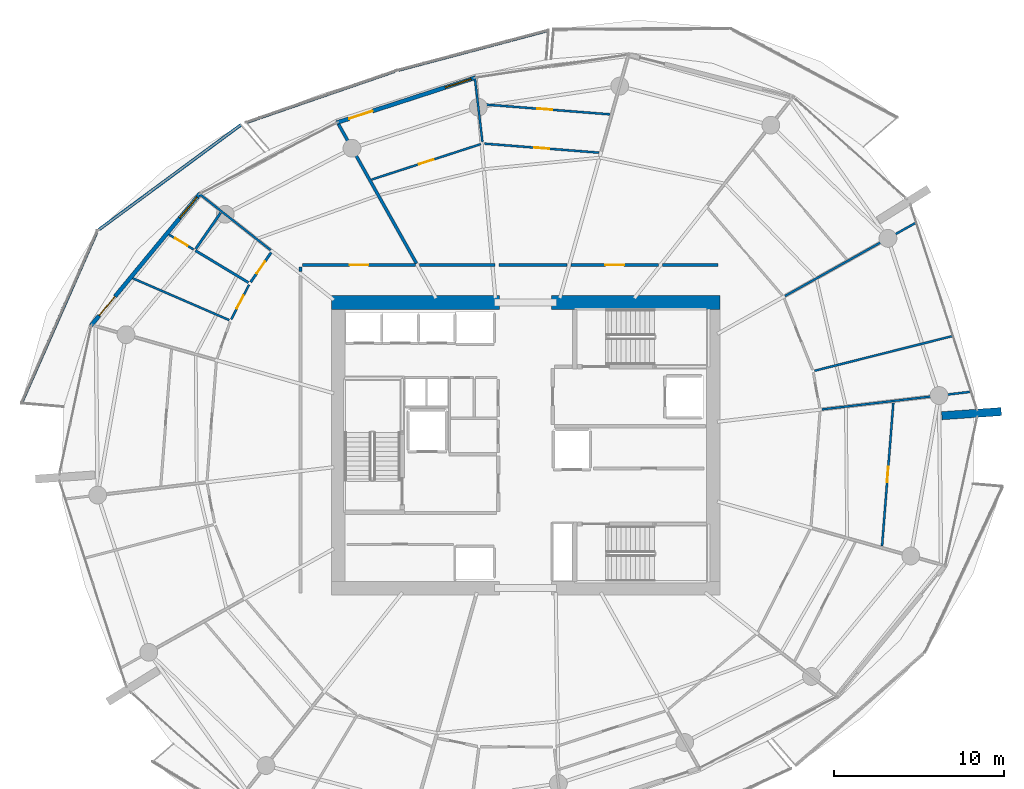
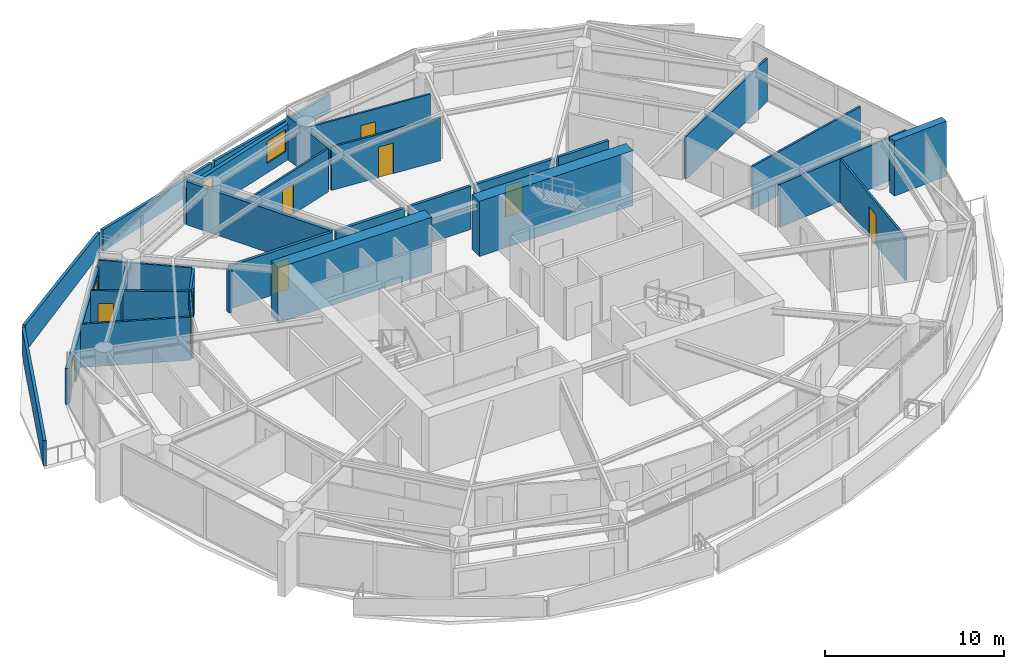
# One storey, part 14 of 20: 31 walls, 11 doors, 2 windows, 13 openings.
"""IFC4 building model written with IfcOpenShell, lengths in metres."""

from ifc_helpers import new_model, si_unit, direction, frame, frame_2d, origin, place, context, subcontext, project, spatial, polyline, rectangle, outline, extrude, material, layer, layer_set, type_object, element, fill, save


model = new_model("IFC4")

# Units and contexts
model_context = context("Model", 3, precision=1e-05, world=origin(), true_north=direction((0.0, 1.0)))
body_context = subcontext(model_context, "Body", "Model", "MODEL_VIEW")
ifc_project = project(units=[si_unit("LENGTHUNIT", "METRE"), si_unit("AREAUNIT", "SQUARE_METRE"), si_unit("VOLUMEUNIT", "CUBIC_METRE"), si_unit("PLANEANGLEUNIT", "RADIAN"), si_unit("MASSUNIT", "GRAM", prefix="KILO")], contexts=[model_context])

# Site, building, storey
site_placement = place(None, origin())
site = spatial("IfcSite", under=ifc_project, at=site_placement, CompositionType="ELEMENT")
building_placement = place(site_placement, origin())
building = spatial("IfcBuilding", under=site, at=building_placement, Name="Kazma Halo Residences", CompositionType="ELEMENT")
storey_placement = place(building_placement, frame((0.0, 0.0, 169.050048828125)))
storey = spatial("IfcBuildingStorey", under=building, at=storey_placement, Name="L42", CompositionType="ELEMENT", Elevation=169.050048828125)

# Walls
ifc_material_1 = material(Name="White Concrete C50/60 Balustrade", Category="concrete")
ifc_layer_1 = layer(ifc_material_1, 0.179931640625)
ifc_layer_set_1 = layer_set([ifc_layer_1], Name="White Concrete C50/60 Balustrade")
wall_type_1 = type_object("IfcWallType", Name="WL-BAL-WAVE-180", PredefinedType="PARAPET", material=ifc_layer_set_1)
wall_1_placement = place(storey_placement, frame((49.770751953125, 66.40380859375, 0.0), z_axis=(0.0, 0.0, 1.0), x_axis=(-0.966520511407, -0.256589362658, 0.0)))
element("IfcWall", 1, at=wall_1_placement, inside=storey, type_object=wall_type_1, Name="L42 white wave balustrade wall NNW.1", PredefinedType="PARAPET", context=body_context, shape_type="SweptSolid", body=[
    extrude(outline(polyline([(0.0, 0.0), (9.119140625, 0.0), (9.118896484375, 1.14794921875), (4.5595703125, 1.126953125), (0.0, 1.223876953125), (0.0, 0.0)])), frame((0.0, 0.08984375, 0.0), z_axis=(0.0, -1.0, 0.0), x_axis=(1.0, 0.0, 0.0)), (0.0, 0.0, 1.0), 0.179931640625),
])
wall_2_placement = place(storey_placement, frame((40.7275390625, 63.994140625, 0.0), z_axis=(0.0, 0.0, 1.0), x_axis=(-0.945395712623, -0.325924755971, 0.0)))
element("IfcWall", 2, at=wall_2_placement, inside=storey, type_object=wall_type_1, Name="L42 white wave balustrade wall NNW.2", PredefinedType="PARAPET", context=body_context, shape_type="SweptSolid", body=[
    extrude(outline(polyline([(0.0, 0.0), (9.244384765625, 0.0), (9.244384765625, 1.48291015625), (4.622314453125, 1.283935546875), (0.0, 1.14794921875), (0.0, 0.0)])), frame((0.0, 0.08984375, 0.0), z_axis=(0.0, -1.0, 0.0), x_axis=(1.0, 0.0, 0.0)), (0.0, 0.0, 1.0), 0.179931640625),
])
wall_3_placement = place(storey_placement, frame((31.699951171875, 60.850341796875, 0.0), z_axis=(0.0, 0.0, 1.0), x_axis=(-0.804716582715, -0.593659179584, 0.0)))
element("IfcWall", 3, at=wall_3_placement, inside=storey, type_object=wall_type_1, Name="L42 white wave balustrade wall NW.1", PredefinedType="PARAPET", context=body_context, shape_type="SweptSolid", body=[
    extrude(outline(polyline([(0.0, 0.0), (10.386474609375, 0.0), (10.386474609375, 1.83203125), (5.193115234375, 1.696044921875), (0.0, 1.4970703125), (0.0, 0.0)])), frame((0.0, 0.08984375, 0.0), z_axis=(0.0, -1.0, 0.0), x_axis=(1.0, 0.0, 0.0)), (0.0, 0.0, 1.0), 0.179931640625),
])
wall_4_placement = place(storey_placement, frame((23.19677734375, 54.50341796875, 0.0), z_axis=(0.0, 0.0, 1.0), x_axis=(-0.402973896797, -0.915211472011, 0.0)))
element("IfcWall", 4, at=wall_4_placement, inside=storey, type_object=wall_type_1, Name="L42 white wave balustrade wall NW.2", PredefinedType="PARAPET", context=body_context, shape_type="SweptSolid", body=[
    extrude(outline(polyline([(0.0, 0.0), (10.953125, 0.0), (10.952880859375, 1.755859375), (5.4765625, 1.85302734375), (0.0, 1.83203125), (0.0, 0.0)])), frame((0.0, 0.08984375, 0.0), z_axis=(0.0, -1.0, 0.0), x_axis=(1.0, 0.0, 0.0)), (0.0, 0.0, 1.0), 0.179931640625),
])
ifc_material_2 = material(Name="Pale Concrete C60/75", Category="concrete")
ifc_layer_2 = layer(ifc_material_2, 0.47998046875)
ifc_layer_set_2 = layer_set([ifc_layer_2], Name="Pale Concrete C60/75")
wall_type_2 = type_object("IfcWallType", Name="WL-BLADE-480", PredefinedType="SOLIDWALL", material=ifc_layer_set_2)
wall_5_placement = place(storey_placement, frame((72.89697265625, 43.740966796875, 0.0), z_axis=(0.0, 0.0, 1.0), x_axis=(0.997564163539, 0.069754853754, 0.0)))
element("IfcWall", 5, at=wall_5_placement, inside=storey, type_object=wall_type_2, Name="L42 pale concrete structural blade fin wall BW-04", PredefinedType="SOLIDWALL", context=body_context, shape_type="SweptSolid", body=[
    extrude(rectangle(XDim=3.5, YDim=0.47998046875, at=frame_2d((1.75, 0.0))), origin(), (0.0, 0.0, 1.0), 3.75),
])
ifc_material_3 = material(Name="Concrete C80/95", Category="concrete")
ifc_layer_3 = layer(ifc_material_3, 0.800048828125)
ifc_layer_set_3 = layer_set([ifc_layer_3], Name="Concrete C80/95")
wall_type_3 = type_object("IfcWallType", Name="WL-CORE-800", PredefinedType="SHEAR", material=ifc_layer_set_3)
wall_6_placement = place(storey_placement, frame((37.0, 50.39990234375, 0.0), z_axis=(0.0, 0.0, 1.0), x_axis=(1.0, 0.0, 0.0)))
element("IfcWall", 6, at=wall_6_placement, inside=storey, type_object=wall_type_3, Name="L42 central core shear wall NW", PredefinedType="SHEAR", context=body_context, shape_type="SweptSolid", body=[
    extrude(rectangle(XDim=9.89990234375, YDim=0.800048828125, at=frame_2d((4.949951171875, 0.0))), origin(), (0.0, 0.0, 1.0), 3.75),
])
wall_7_placement = place(storey_placement, frame((49.949951171875, 50.39990234375, 0.0), z_axis=(0.0, 0.0, 1.0), x_axis=(1.0, 0.0, 0.0)))
element("IfcWall", 7, at=wall_7_placement, inside=storey, type_object=wall_type_3, Name="L42 central core shear wall NE", PredefinedType="SHEAR", context=body_context, shape_type="SweptSolid", body=[
    extrude(rectangle(XDim=9.900146484375, YDim=0.800048828125, at=frame_2d((4.9501953125, 0.0))), origin(), (0.0, 0.0, 1.0), 3.75),
])
ifc_material_4 = material(Name="Acoustic Twin-Stud Gypsum")
ifc_layer_4 = layer(ifc_material_4, 0.179931640625)
ifc_layer_set_4 = layer_set([ifc_layer_4], Name="Acoustic Twin-Stud Gypsum")
wall_type_4 = type_object("IfcWallType", Name="WL-DEM-180", PredefinedType="PARTITIONING", material=ifc_layer_set_4)
wall_8_placement = place(storey_placement, frame((42.010009765625, 52.696044921875, 0.0), z_axis=(0.0, 0.0, 1.0), x_axis=(-0.488627157427, 0.872492693967, 0.0)))
element("IfcWall", 8, at=wall_8_placement, inside=storey, type_object=wall_type_4, Name="L42 apartment demising radial wall 04", PredefinedType="PARTITIONING", context=body_context, shape_type="SweptSolid", body=[
    extrude(rectangle(XDim=9.375244140625, YDim=0.179931640625, at=frame_2d((4.6875, 0.0))), origin(), (0.0, 0.0, 1.0), 2.93994140625),
])

# Wall, opening, door
wall_9_placement = place(storey_placement, frame((41.943603515625, 52.60009765625, 0.0), z_axis=(0.0, 0.0, 1.0), x_axis=(-1.0, 0.0, 0.0)))
wall_9 = element("IfcWall", 9, at=wall_9_placement, inside=storey, type_object=wall_type_4, Name="L42 Apartment 1 entrance corridor wall", PredefinedType="PARTITIONING", context=body_context, shape_type="SweptSolid", body=[
    extrude(rectangle(XDim=6.62353515625, YDim=0.179931640625, at=frame_2d((3.311767578125, 0.0))), origin(), (0.0, 0.0, 1.0), 2.93994140625),
])
opening_1_placement = place(wall_9_placement, frame((2.76171875, 0.0, 0.0)))
opening_1 = element("IfcOpeningElement", 10, at=opening_1_placement, cuts=wall_9, Name="Opening DA-1100", PredefinedType="OPENING", context=body_context, shape_type="SweptSolid", body=[
    extrude(rectangle(XDim=1.10009765625, YDim=2.10009765625, at=frame_2d((0.550048828125, 1.050048828125))), frame((0.0, 0.099853515625, 0.0), z_axis=(0.0, -1.0, 0.0), x_axis=(1.0, 0.0, 0.0)), (0.0, 0.0, 1.0), 0.199951171875),
])
ifc_material_5 = material(Name="Acoustic Walnut Fire Leaf")
door_type_1 = type_object("IfcDoorType", Name="DR-FD60-1100", OperationType="NOTDEFINED", PredefinedType="DOOR", material=ifc_material_5)
door_1_placement = place(opening_1_placement, origin())
door_1 = element("IfcDoor", 11, at=door_1_placement, inside=storey, type_object=door_type_1, Name="L42 Apartment 1 entrance fire door", OperationType="SINGLE_SWING_RIGHT", OverallHeight=2.10009765625, OverallWidth=1.10009765625, PredefinedType="DOOR", context=body_context, shape_type="SweptSolid", body=[
    extrude(rectangle(XDim=1.10009765625, YDim=2.10009765625, at=frame_2d((0.550048828125, 1.050048828125))), frame((0.0, 0.02490234375, 0.0), z_axis=(0.0, -1.0, 0.0), x_axis=(1.0, 0.0, 0.0)), (0.0, 0.0, 1.0), 0.050048828125),
])
fill(opening_1, door_1)

# Wall
wall_10_placement = place(storey_placement, frame((35.199951171875, 52.47998046875, 0.0), z_axis=(0.0, 0.0, 1.0), x_axis=(0.0, -1.0, 0.0)))
element("IfcWall", 12, at=wall_10_placement, inside=storey, type_object=wall_type_4, Name="L42 Apartment 1 entrance corridor wall", PredefinedType="PARTITIONING", context=body_context, shape_type="SweptSolid", body=[
    extrude(rectangle(XDim=0.269287109375, YDim=0.179931640625, at=frame_2d((0.134765625, 0.0))), origin(), (0.0, 0.0, 1.0), 2.93994140625),
])

# Wall, opening, door
wall_11_placement = place(storey_placement, frame((56.236328125, 52.60009765625, 0.0), z_axis=(0.0, 0.0, 1.0), x_axis=(-1.0, 0.0, 0.0)))
wall_11 = element("IfcWall", 13, at=wall_11_placement, inside=storey, type_object=wall_type_4, Name="L42 Apartment 2 entrance corridor wall", PredefinedType="PARTITIONING", context=body_context, shape_type="SweptSolid", body=[
    extrude(rectangle(XDim=5.126708984375, YDim=0.179931640625, at=frame_2d((2.5634765625, 0.0))), origin(), (0.0, 0.0, 1.0), 2.93994140625),
])
opening_2_placement = place(wall_11_placement, frame((2.013427734375, 0.0, 0.0)))
opening_2 = element("IfcOpeningElement", 14, at=opening_2_placement, cuts=wall_11, Name="Opening DA-1100", PredefinedType="OPENING", context=body_context, shape_type="SweptSolid", body=[
    extrude(rectangle(XDim=1.10009765625, YDim=2.10009765625, at=frame_2d((0.550048828125, 1.050048828125))), frame((0.0, 0.099853515625, 0.0), z_axis=(0.0, -1.0, 0.0), x_axis=(1.0, 0.0, 0.0)), (0.0, 0.0, 1.0), 0.199951171875),
])
door_2_placement = place(opening_2_placement, origin())
door_2 = element("IfcDoor", 15, at=door_2_placement, inside=storey, type_object=door_type_1, Name="L42 Apartment 2 entrance fire door", OperationType="SINGLE_SWING_LEFT", OverallHeight=2.10009765625, OverallWidth=1.10009765625, PredefinedType="DOOR", context=body_context, shape_type="SweptSolid", body=[
    extrude(rectangle(XDim=1.10009765625, YDim=2.10009765625, at=frame_2d((0.550048828125, 1.050048828125))), frame((0.0, 0.02490234375, 0.0), z_axis=(0.0, -1.0, 0.0), x_axis=(1.0, 0.0, 0.0)), (0.0, 0.0, 1.0), 0.050048828125),
])
fill(opening_2, door_2)

# Walls
wall_12_placement = place(storey_placement, frame((59.72998046875, 52.60009765625, 0.0), z_axis=(0.0, 0.0, 1.0), x_axis=(-1.0, 0.0, 0.0)))
element("IfcWall", 16, at=wall_12_placement, inside=storey, type_object=wall_type_4, Name="L42 Apartment 2 inner wall 0", PredefinedType="PARTITIONING", context=body_context, shape_type="SweptSolid", body=[
    extrude(rectangle(XDim=3.253662109375, YDim=0.179931640625, at=frame_2d((1.626953125, 0.0))), origin(), (0.0, 0.0, 1.0), 2.93994140625),
])
wall_13_placement = place(storey_placement, frame((50.869384765625, 52.60009765625, 0.0), z_axis=(0.0, 0.0, 1.0), x_axis=(-1.0, 0.0, 0.0)))
element("IfcWall", 17, at=wall_13_placement, inside=storey, type_object=wall_type_4, Name="L42 Apartment 2 inner wall 2", PredefinedType="PARTITIONING", context=body_context, shape_type="SweptSolid", body=[
    extrude(rectangle(XDim=4.00390625, YDim=0.179931640625, at=frame_2d((2.001953125, 0.0))), origin(), (0.0, 0.0, 1.0), 2.93994140625),
])
wall_14_placement = place(storey_placement, frame((46.62548828125, 52.60009765625, 0.0), z_axis=(0.0, 0.0, 1.0), x_axis=(-1.0, 0.0, 0.0)))
element("IfcWall", 18, at=wall_14_placement, inside=storey, type_object=wall_type_4, Name="L42 Apartment 2 inner wall 3", PredefinedType="PARTITIONING", context=body_context, shape_type="SweptSolid", body=[
    extrude(rectangle(XDim=4.44189453125, YDim=0.179931640625, at=frame_2d((2.220947265625, 0.0))), origin(), (0.0, 0.0, 1.0), 2.93994140625),
])

# Wall, openings, door, window
ifc_material_6 = material(Name="Insulated Pale-Metal Composite Wall")
ifc_layer_5 = layer(ifc_material_6, 0.239990234375)
ifc_layer_set_5 = layer_set([ifc_layer_5], Name="Insulated Pale-Metal Composite Wall")
wall_type_5 = type_object("IfcWallType", Name="WL-EXT-HOST-240", PredefinedType="SOLIDWALL", material=ifc_layer_set_5)
wall_15_placement = place(storey_placement, frame((45.489990234375, 63.624267578125, 0.0), z_axis=(0.0, 0.0, 1.0), x_axis=(-0.951046390632, -0.309048156224, 0.0)))
wall_15 = element("IfcWall", 19, at=wall_15_placement, inside=storey, type_object=wall_type_5, Name="L42 exterior terrace-access wall B04", PredefinedType="SOLIDWALL", context=body_context, shape_type="SweptSolid", body=[
    extrude(rectangle(XDim=8.590087890625, YDim=0.239990234375, at=frame_2d((4.294921875, 0.0))), origin(), (0.0, 0.0, 1.0), 2.449951171875),
])
opening_3_placement = place(wall_15_placement, frame((6.370361328125, 0.0, 0.0)))
opening_3 = element("IfcOpeningElement", 20, at=opening_3_placement, cuts=wall_15, Name="Opening DTR-1600", PredefinedType="OPENING", context=body_context, shape_type="SweptSolid", body=[
    extrude(rectangle(XDim=1.449951171875, YDim=2.14990234375, at=frame_2d((0.72509765625, 1.074951171875))), frame((0.0, 0.1298828125, 0.0), z_axis=(0.0, -1.0, 0.0), x_axis=(1.0, 0.0, 0.0)), (0.0, 0.0, 1.0), 0.260009765625),
])
opening_4_placement = place(wall_15_placement, frame((0.280029296875, 0.0, 0.64990234375)))
opening_4 = element("IfcOpeningElement", 21, at=opening_4_placement, cuts=wall_15, Name="Opening W-1800", PredefinedType="OPENING", context=body_context, shape_type="SweptSolid", body=[
    extrude(rectangle(XDim=1.60009765625, YDim=1.5, at=frame_2d((0.800048828125, 0.75))), frame((0.0, 0.1298828125, 0.0), z_axis=(0.0, -1.0, 0.0), x_axis=(1.0, 0.0, 0.0)), (0.0, 0.0, 1.0), 0.260009765625),
])
ifc_material_7 = material(Name="Aluminium AW-6063 T6 Double-Glazed Terrace Door", Category="aluminium")
door_type_2 = type_object("IfcDoorType", Name="DR-EXT-TERR-1600", OperationType="NOTDEFINED", PredefinedType="DOOR", material=ifc_material_7)
door_3_placement = place(opening_3_placement, origin())
door_3 = element("IfcDoor", 22, at=door_3_placement, inside=storey, type_object=door_type_2, Name="L42 B04 balcony terrace door", OperationType="DOUBLE_DOOR_SLIDING", OverallHeight=2.14990234375, OverallWidth=1.449951171875, PredefinedType="DOOR", context=body_context, shape_type="SweptSolid", body=[
    extrude(rectangle(XDim=1.449951171875, YDim=2.14990234375, at=frame_2d((0.72509765625, 1.074951171875))), frame((0.0, 0.02490234375, 0.0), z_axis=(0.0, -1.0, 0.0), x_axis=(1.0, 0.0, 0.0)), (0.0, 0.0, 1.0), 0.050048828125),
])
fill(opening_3, door_3)
ifc_material_8 = material(Name="Clear Triple-Silver Low-E Glass in Aluminium AW-6063 T6 Frame", Category="aluminium")
window_type = type_object("IfcWindowType", Name="WIN-RES-1800", PartitioningType="DOUBLE_PANEL_VERTICAL", PredefinedType="WINDOW", material=ifc_material_8)
window_1_placement = place(opening_4_placement, origin())
window_1 = element("IfcWindow", 23, at=window_1_placement, inside=storey, type_object=window_type, Name="L42 B04 apartment window", OverallHeight=1.5, OverallWidth=1.60009765625, PartitioningType="SINGLE_PANEL", PredefinedType="WINDOW", context=body_context, shape_type="SweptSolid", body=[
    extrude(rectangle(XDim=1.60009765625, YDim=1.5, at=frame_2d((0.800048828125, 0.75))), frame((0.0, 0.030029296875, 0.0), z_axis=(0.0, -1.0, 0.0), x_axis=(1.0, 0.0, 0.0)), (0.0, 0.0, 1.0), 0.06005859375),
])
fill(opening_4, window_1)

wall_16_placement = place(storey_placement, frame((29.29052734375, 56.81298828125, 0.0), z_axis=(0.0, 0.0, 1.0), x_axis=(-0.636771922292, -0.77105221547, 0.0)))
wall_16 = element("IfcWall", 24, at=wall_16_placement, inside=storey, type_object=wall_type_5, Name="L42 exterior terrace-access wall B06", PredefinedType="SOLIDWALL", context=body_context, shape_type="SweptSolid", body=[
    extrude(rectangle(XDim=10.08154296875, YDim=0.239990234375, at=frame_2d((5.040771484375, 0.0))), origin(), (0.0, 0.0, 1.0), 2.449951171875),
])
opening_5_placement = place(wall_16_placement, frame((7.861572265625, 0.0, 0.0)))
opening_5 = element("IfcOpeningElement", 25, at=opening_5_placement, cuts=wall_16, Name="Opening DTR-1600", PredefinedType="OPENING", context=body_context, shape_type="SweptSolid", body=[
    extrude(rectangle(XDim=1.449951171875, YDim=2.14990234375, at=frame_2d((0.72509765625, 1.074951171875))), frame((0.0, 0.1298828125, 0.0), z_axis=(0.0, -1.0, 0.0), x_axis=(1.0, 0.0, 0.0)), (0.0, 0.0, 1.0), 0.260009765625),
])
opening_6_placement = place(wall_16_placement, frame((0.280029296875, 0.0, 0.64990234375)))
opening_6 = element("IfcOpeningElement", 26, at=opening_6_placement, cuts=wall_16, Name="Opening W-1800", PredefinedType="OPENING", context=body_context, shape_type="SweptSolid", body=[
    extrude(rectangle(XDim=1.60009765625, YDim=1.5, at=frame_2d((0.800048828125, 0.75))), frame((0.0, 0.1298828125, 0.0), z_axis=(0.0, -1.0, 0.0), x_axis=(1.0, 0.0, 0.0)), (0.0, 0.0, 1.0), 0.260009765625),
])
door_4_placement = place(opening_5_placement, origin())
door_4 = element("IfcDoor", 27, at=door_4_placement, inside=storey, type_object=door_type_2, Name="L42 B06 balcony terrace door", OperationType="DOUBLE_DOOR_SLIDING", OverallHeight=2.14990234375, OverallWidth=1.449951171875, PredefinedType="DOOR", context=body_context, shape_type="SweptSolid", body=[
    extrude(rectangle(XDim=1.449951171875, YDim=2.14990234375, at=frame_2d((0.72509765625, 1.074951171875))), frame((0.0, 0.02490234375, 0.0), z_axis=(0.0, -1.0, 0.0), x_axis=(1.0, 0.0, 0.0)), (0.0, 0.0, 1.0), 0.050048828125),
])
fill(opening_5, door_4)
window_2_placement = place(opening_6_placement, origin())
window_2 = element("IfcWindow", 28, at=window_2_placement, inside=storey, type_object=window_type, Name="L42 B06 apartment window", OverallHeight=1.5, OverallWidth=1.60009765625, PartitioningType="SINGLE_PANEL", PredefinedType="WINDOW", context=body_context, shape_type="SweptSolid", body=[
    extrude(rectangle(XDim=1.60009765625, YDim=1.5, at=frame_2d((0.800048828125, 0.75))), frame((0.0, 0.030029296875, 0.0), z_axis=(0.0, -1.0, 0.0), x_axis=(1.0, 0.0, 0.0)), (0.0, 0.0, 1.0), 0.06005859375),
])
fill(opening_6, window_2)

# Wall
ifc_material_9 = material(Name="Gypsum Plasterboard Partition")
ifc_layer_6 = layer(ifc_material_9, 0.125)
ifc_layer_set_6 = layer_set([ifc_layer_6], Name="Gypsum Plasterboard Partition")
wall_type_6 = type_object("IfcWallType", Name="WL-PART-125", PredefinedType="PARTITIONING", material=ifc_layer_set_6)
wall_17_placement = place(storey_placement, frame((33.44091796875, 53.477294921875, 0.0), z_axis=(0.0, 0.0, 1.0), x_axis=(-0.785319981095, 0.619090080112, 0.0)))
element("IfcWall", 29, at=wall_17_placement, inside=storey, type_object=wall_type_6, Name="L42 Apartment 1 radial partition 5", PredefinedType="PARTITIONING", context=body_context, shape_type="SweptSolid", body=[
    extrude(rectangle(XDim=5.300537109375, YDim=0.125, at=frame_2d((2.650390625, 0.0))), origin(), (0.0, 0.0, 1.0), 2.93994140625),
])

# Wall, opening, door
wall_18_placement = place(storey_placement, frame((28.90087890625, 53.51904296875, 0.0), z_axis=(0.0, 0.0, 1.0), x_axis=(-0.856306503803, 0.516467977269, 0.0)))
wall_18 = element("IfcWall", 30, at=wall_18_placement, inside=storey, type_object=wall_type_6, Name="L42 Apartment 1 Household Store Room partition wall", PredefinedType="PARTITIONING", context=body_context, shape_type="SweptSolid", body=[
    extrude(rectangle(XDim=1.69189453125, YDim=0.125, at=frame_2d((0.845947265625, 0.0))), origin(), (0.0, 0.0, 1.0), 2.93994140625),
])
opening_7_placement = place(wall_18_placement, frame((0.4208984375, 0.0, 0.0)))
opening_7 = element("IfcOpeningElement", 31, at=opening_7_placement, cuts=wall_18, Name="Opening DB-900", PredefinedType="OPENING", context=body_context, shape_type="SweptSolid", body=[
    extrude(rectangle(XDim=0.85009765625, YDim=2.06005859375, at=frame_2d((0.425048828125, 1.030029296875))), frame((0.0, 0.072509765625, 0.0), z_axis=(0.0, -1.0, 0.0), x_axis=(1.0, 0.0, 0.0)), (0.0, 0.0, 1.0), 0.14501953125),
])
ifc_material_10 = material(Name="Moisture-Sealed Timber Leaf", Category="wood")
door_type_3 = type_object("IfcDoorType", Name="DR-BTH-900", OperationType="NOTDEFINED", PredefinedType="DOOR", material=ifc_material_10)
door_5_placement = place(opening_7_placement, origin())
door_5 = element("IfcDoor", 32, at=door_5_placement, inside=storey, type_object=door_type_3, Name="L42 Apartment 1 Household Store Room door", OperationType="SINGLE_SWING_LEFT", OverallHeight=2.06005859375, OverallWidth=0.85009765625, PredefinedType="DOOR", context=body_context, shape_type="SweptSolid", body=[
    extrude(rectangle(XDim=0.85009765625, YDim=2.06005859375, at=frame_2d((0.425048828125, 1.030029296875))), frame((0.0, 0.02490234375, 0.0), z_axis=(0.0, -1.0, 0.0), x_axis=(1.0, 0.0, 0.0)), (0.0, 0.0, 1.0), 0.050048828125),
])
fill(opening_7, door_5)

# Wall
wall_19_placement = place(storey_placement, frame((30.997802734375, 49.365478515625, 0.0), z_axis=(0.0, 0.0, 1.0), x_axis=(-0.917591640713, 0.397524314845, 0.0)))
element("IfcWall", 33, at=wall_19_placement, inside=storey, type_object=wall_type_6, Name="L42 Apartment 1 suite divider 5", PredefinedType="PARTITIONING", context=body_context, shape_type="SweptSolid", body=[
    extrude(rectangle(XDim=6.18212890625, YDim=0.125, at=frame_2d((3.091064453125, 0.0))), origin(), (0.0, 0.0, 1.0), 2.93994140625),
])

# Wall, opening, door
wall_20_placement = place(storey_placement, frame((32.169189453125, 51.443115234375, 0.0), z_axis=(0.0, 0.0, 1.0), x_axis=(-0.458020211203, -0.888941778819, 0.0)))
wall_20 = element("IfcWall", 34, at=wall_20_placement, inside=storey, type_object=wall_type_6, Name="L42 Apartment 1 Gourmet Kitchen hall wall", PredefinedType="PARTITIONING", context=body_context, shape_type="SweptSolid", body=[
    extrude(rectangle(XDim=2.29736328125, YDim=0.125, at=frame_2d((1.148681640625, 0.0))), origin(), (0.0, 0.0, 1.0), 2.93994140625),
])
opening_8_placement = place(wall_20_placement, frame((0.7236328125, 0.0, 0.0)))
opening_8 = element("IfcOpeningElement", 35, at=opening_8_placement, cuts=wall_20, Name="Opening DB-900", PredefinedType="OPENING", context=body_context, shape_type="SweptSolid", body=[
    extrude(rectangle(XDim=0.85009765625, YDim=2.06005859375, at=frame_2d((0.425048828125, 1.030029296875))), frame((0.0, 0.072509765625, 0.0), z_axis=(0.0, -1.0, 0.0), x_axis=(1.0, 0.0, 0.0)), (0.0, 0.0, 1.0), 0.14501953125),
])
door_6_placement = place(opening_8_placement, origin())
door_6 = element("IfcDoor", 36, at=door_6_placement, inside=storey, type_object=door_type_3, Name="L42 Apartment 1 Gourmet Kitchen door", OperationType="SINGLE_SWING_RIGHT", OverallHeight=2.06005859375, OverallWidth=0.85009765625, PredefinedType="DOOR", context=body_context, shape_type="SweptSolid", body=[
    extrude(rectangle(XDim=0.85009765625, YDim=2.06005859375, at=frame_2d((0.425048828125, 1.030029296875))), frame((0.0, 0.02490234375, 0.0), z_axis=(0.0, -1.0, 0.0), x_axis=(1.0, 0.0, 0.0)), (0.0, 0.0, 1.0), 0.050048828125),
])
fill(opening_8, door_6)

wall_21_placement = place(storey_placement, frame((69.3837890625, 36.081298828125, 0.0), z_axis=(0.0, 0.0, 1.0), x_axis=(0.078456019855, 0.996917575805, 0.0)))
wall_21 = element("IfcWall", 37, at=wall_21_placement, inside=storey, type_object=wall_type_6, Name="L42 Apartment 2 Corner Master Bedroom divider wall", PredefinedType="PARTITIONING", context=body_context, shape_type="SweptSolid", body=[
    extrude(rectangle(XDim=8.445556640625, YDim=0.125, at=frame_2d((4.22265625, 0.0))), origin(), (0.0, 0.0, 1.0), 2.93994140625),
])
opening_9_placement = place(wall_21_placement, frame((3.772705078125, 0.0, 0.0)))
opening_9 = element("IfcOpeningElement", 38, at=opening_9_placement, cuts=wall_21, Name="Opening DI-950", PredefinedType="OPENING", context=body_context, shape_type="SweptSolid", body=[
    extrude(rectangle(XDim=0.89990234375, YDim=2.080078125, at=frame_2d((0.449951171875, 1.0400390625))), frame((0.0, 0.072509765625, 0.0), z_axis=(0.0, -1.0, 0.0), x_axis=(1.0, 0.0, 0.0)), (0.0, 0.0, 1.0), 0.14501953125),
])
ifc_material_11 = material(Name="Timber Veneer Flush Leaf", Category="wood")
door_type_4 = type_object("IfcDoorType", Name="DR-INT-950", OperationType="NOTDEFINED", PredefinedType="DOOR", material=ifc_material_11)
door_7_placement = place(opening_9_placement, origin())
door_7 = element("IfcDoor", 39, at=door_7_placement, inside=storey, type_object=door_type_4, Name="L42 Apartment 2 Corner Master Bedroom door", OperationType="SINGLE_SWING_RIGHT", OverallHeight=2.080078125, OverallWidth=0.89990234375, PredefinedType="DOOR", context=body_context, shape_type="SweptSolid", body=[
    extrude(rectangle(XDim=0.89990234375, YDim=2.080078125, at=frame_2d((0.449951171875, 1.0400390625))), frame((0.0, 0.02490234375, 0.0), z_axis=(0.0, -1.0, 0.0), x_axis=(1.0, 0.0, 0.0)), (0.0, 0.0, 1.0), 0.050048828125),
])
fill(opening_9, door_7)

# Walls
wall_22_placement = place(storey_placement, frame((65.845458984375, 44.1123046875, 0.0), z_axis=(0.0, 0.0, 1.0), x_axis=(0.993069843717, 0.117525680174, 0.0)))
element("IfcWall", 40, at=wall_22_placement, inside=storey, type_object=wall_type_6, Name="L42 Apartment 2 radial partition 15", PredefinedType="PARTITIONING", context=body_context, shape_type="SweptSolid", body=[
    extrude(rectangle(XDim=8.816162109375, YDim=0.125, at=frame_2d((4.408203125, 0.0))), origin(), (0.0, 0.0, 1.0), 2.93994140625),
])
wall_23_placement = place(storey_placement, frame((65.41650390625, 46.384521484375, 0.0), z_axis=(0.0, 0.0, 1.0), x_axis=(0.969748364616, 0.244106758047, 0.0)))
element("IfcWall", 41, at=wall_23_placement, inside=storey, type_object=wall_type_6, Name="L42 Apartment 2 mid-bay wall 15", PredefinedType="PARTITIONING", context=body_context, shape_type="SweptSolid", body=[
    extrude(rectangle(XDim=8.37109375, YDim=0.125, at=frame_2d((4.185546875, 0.0))), origin(), (0.0, 0.0, 1.0), 2.93994140625),
])
wall_24_placement = place(storey_placement, frame((63.6787109375, 50.780517578125, 0.0), z_axis=(0.0, 0.0, 1.0), x_axis=(0.872493265844, 0.488626136281, 0.0)))
element("IfcWall", 42, at=wall_24_placement, inside=storey, type_object=wall_type_6, Name="L42 Apartment 2 radial partition 0", PredefinedType="PARTITIONING", context=body_context, shape_type="SweptSolid", body=[
    extrude(rectangle(XDim=8.816162109375, YDim=0.125, at=frame_2d((4.408203125, 0.0))), origin(), (0.0, 0.0, 1.0), 2.93994140625),
])

# Wall, opening, door
wall_25_placement = place(storey_placement, frame((52.740966796875, 59.207763671875, 0.0), z_axis=(0.0, 0.0, 1.0), x_axis=(-0.996917452966, 0.078457580711, 0.0)))
wall_25 = element("IfcWall", 43, at=wall_25_placement, inside=storey, type_object=wall_type_6, Name="L42 Apartment 2 Secondary Study hall wall", PredefinedType="PARTITIONING", context=body_context, shape_type="SweptSolid", body=[
    extrude(rectangle(XDim=6.75244140625, YDim=0.125, at=frame_2d((3.376220703125, 0.0))), origin(), (0.0, 0.0, 1.0), 2.93994140625),
])
opening_10_placement = place(wall_25_placement, frame((2.92626953125, 0.0, 0.0)))
opening_10 = element("IfcOpeningElement", 44, at=opening_10_placement, cuts=wall_25, Name="Opening DI-950", PredefinedType="OPENING", context=body_context, shape_type="SweptSolid", body=[
    extrude(rectangle(XDim=0.89990234375, YDim=2.080078125, at=frame_2d((0.449951171875, 1.0400390625))), frame((0.0, 0.072509765625, 0.0), z_axis=(0.0, -1.0, 0.0), x_axis=(1.0, 0.0, 0.0)), (0.0, 0.0, 1.0), 0.14501953125),
])
door_8_placement = place(opening_10_placement, origin())
door_8 = element("IfcDoor", 45, at=door_8_placement, inside=storey, type_object=door_type_4, Name="L42 Apartment 2 Secondary Study door", OperationType="SINGLE_SWING_LEFT", OverallHeight=2.080078125, OverallWidth=0.89990234375, PredefinedType="DOOR", context=body_context, shape_type="SweptSolid", body=[
    extrude(rectangle(XDim=0.89990234375, YDim=2.080078125, at=frame_2d((0.449951171875, 1.0400390625))), frame((0.0, 0.02490234375, 0.0), z_axis=(0.0, -1.0, 0.0), x_axis=(1.0, 0.0, 0.0)), (0.0, 0.0, 1.0), 0.050048828125),
])
fill(opening_10, door_8)

wall_26_placement = place(storey_placement, frame((53.37646484375, 61.460693359375, 0.0), z_axis=(0.0, 0.0, 1.0), x_axis=(-0.996916336075, 0.078471771143, 0.0)))
wall_26 = element("IfcWall", 46, at=wall_26_placement, inside=storey, type_object=wall_type_6, Name="L42 Apartment 2 East Bedroom divider wall", PredefinedType="PARTITIONING", context=body_context, shape_type="SweptSolid", body=[
    extrude(rectangle(XDim=7.666015625, YDim=0.125, at=frame_2d((3.8330078125, 0.0))), origin(), (0.0, 0.0, 1.0), 2.93994140625),
])
opening_11_placement = place(wall_26_placement, frame((3.3828125, 0.0, 0.0)))
opening_11 = element("IfcOpeningElement", 47, at=opening_11_placement, cuts=wall_26, Name="Opening DI-950", PredefinedType="OPENING", context=body_context, shape_type="SweptSolid", body=[
    extrude(rectangle(XDim=0.89990234375, YDim=2.080078125, at=frame_2d((0.449951171875, 1.0400390625))), frame((0.0, 0.072509765625, 0.0), z_axis=(0.0, -1.0, 0.0), x_axis=(1.0, 0.0, 0.0)), (0.0, 0.0, 1.0), 0.14501953125),
])
door_9_placement = place(opening_11_placement, origin())
door_9 = element("IfcDoor", 48, at=door_9_placement, inside=storey, type_object=door_type_4, Name="L42 Apartment 2 East Bedroom door", OperationType="SINGLE_SWING_RIGHT", OverallHeight=2.080078125, OverallWidth=0.89990234375, PredefinedType="DOOR", context=body_context, shape_type="SweptSolid", body=[
    extrude(rectangle(XDim=0.89990234375, YDim=2.080078125, at=frame_2d((0.449951171875, 1.0400390625))), frame((0.0, 0.02490234375, 0.0), z_axis=(0.0, -1.0, 0.0), x_axis=(1.0, 0.0, 0.0)), (0.0, 0.0, 1.0), 0.050048828125),
])
fill(opening_11, door_9)

# Wall
wall_27_placement = place(storey_placement, frame((45.8876953125, 59.845458984375, 0.0), z_axis=(0.0, 0.0, 1.0), x_axis=(-0.117510984651, 0.99307158276, 0.0)))
element("IfcWall", 49, at=wall_27_placement, inside=storey, type_object=wall_type_6, Name="L42 Apartment 2 radial partition 3", PredefinedType="PARTITIONING", context=body_context, shape_type="SweptSolid", body=[
    extrude(rectangle(XDim=3.7646484375, YDim=0.125, at=frame_2d((1.88232421875, 0.0))), origin(), (0.0, 0.0, 1.0), 2.93994140625),
])

# Wall, opening, door
wall_28_placement = place(storey_placement, frame((45.794921875, 59.712158203125, 0.0), z_axis=(0.0, 0.0, 1.0), x_axis=(-0.951056650279, -0.309016582016, 0.0)))
wall_28 = element("IfcWall", 50, at=wall_28_placement, inside=storey, type_object=wall_type_6, Name="L42 Apartment 2 West Master Bedroom gallery wall", PredefinedType="PARTITIONING", context=body_context, shape_type="SweptSolid", body=[
    extrude(rectangle(XDim=6.752685546875, YDim=0.125, at=frame_2d((3.37646484375, 0.0))), origin(), (0.0, 0.0, 1.0), 2.93994140625),
])
opening_12_placement = place(wall_28_placement, frame((2.92626953125, 0.0, 0.0)))
opening_12 = element("IfcOpeningElement", 51, at=opening_12_placement, cuts=wall_28, Name="Opening DI-950", PredefinedType="OPENING", context=body_context, shape_type="SweptSolid", body=[
    extrude(rectangle(XDim=0.89990234375, YDim=2.080078125, at=frame_2d((0.449951171875, 1.0400390625))), frame((0.0, 0.072509765625, 0.0), z_axis=(0.0, -1.0, 0.0), x_axis=(1.0, 0.0, 0.0)), (0.0, 0.0, 1.0), 0.14501953125),
])
door_10_placement = place(opening_12_placement, origin())
door_10 = element("IfcDoor", 52, at=door_10_placement, inside=storey, type_object=door_type_4, Name="L42 Apartment 2 West Master Bedroom door", OperationType="SINGLE_SWING_RIGHT", OverallHeight=2.080078125, OverallWidth=0.89990234375, PredefinedType="DOOR", context=body_context, shape_type="SweptSolid", body=[
    extrude(rectangle(XDim=0.89990234375, YDim=2.080078125, at=frame_2d((0.449951171875, 1.0400390625))), frame((0.0, 0.02490234375, 0.0), z_axis=(0.0, -1.0, 0.0), x_axis=(1.0, 0.0, 0.0)), (0.0, 0.0, 1.0), 0.050048828125),
])
fill(opening_12, door_10)

ifc_material_12 = material(Name="Moisture-Resistant Gypsum")
ifc_layer_7 = layer(ifc_material_12, 0.14990234375)
ifc_layer_set_7 = layer_set([ifc_layer_7], Name="Moisture-Resistant Gypsum")
wall_type_7 = type_object("IfcWallType", Name="WL-WET-150", PredefinedType="PARTITIONING", material=ifc_layer_set_7)
wall_29_placement = place(storey_placement, frame((33.462646484375, 53.333251953125, 0.0), z_axis=(0.0, 0.0, 1.0), x_axis=(-0.568843105688, -0.822446059697, 0.0)))
wall_29 = element("IfcWall", 53, at=wall_29_placement, inside=storey, type_object=wall_type_7, Name="L42 Apartment 1 Guest Bathroom hall wall", PredefinedType="PARTITIONING", context=body_context, shape_type="SweptSolid", body=[
    extrude(rectangle(XDim=2.111083984375, YDim=0.14990234375, at=frame_2d((1.0556640625, 0.0))), origin(), (0.0, 0.0, 1.0), 2.93994140625),
])
opening_13_placement = place(wall_29_placement, frame((0.630615234375, 0.0, 0.0)))
opening_13 = element("IfcOpeningElement", 54, at=opening_13_placement, cuts=wall_29, Name="Opening DB-900", PredefinedType="OPENING", context=body_context, shape_type="SweptSolid", body=[
    extrude(rectangle(XDim=0.85009765625, YDim=2.06005859375, at=frame_2d((0.425048828125, 1.030029296875))), frame((0.0, 0.0849609375, 0.0), z_axis=(0.0, -1.0, 0.0), x_axis=(1.0, 0.0, 0.0)), (0.0, 0.0, 1.0), 0.169921875),
])
door_11_placement = place(opening_13_placement, origin())
door_11 = element("IfcDoor", 55, at=door_11_placement, inside=storey, type_object=door_type_3, Name="L42 Apartment 1 Guest Bathroom door", OperationType="SINGLE_SWING_RIGHT", OverallHeight=2.06005859375, OverallWidth=0.85009765625, PredefinedType="DOOR", context=body_context, shape_type="SweptSolid", body=[
    extrude(rectangle(XDim=0.85009765625, YDim=2.06005859375, at=frame_2d((0.425048828125, 1.030029296875))), frame((0.0, 0.02490234375, 0.0), z_axis=(0.0, -1.0, 0.0), x_axis=(1.0, 0.0, 0.0)), (0.0, 0.0, 1.0), 0.050048828125),
])
fill(opening_13, door_11)

# Walls
wall_30_placement = place(storey_placement, frame((30.498046875, 55.67041015625, 0.0), z_axis=(0.0, 0.0, 1.0), x_axis=(-0.56886579211, -0.822430368218, 0.0)))
element("IfcWall", 56, at=wall_30_placement, inside=storey, type_object=wall_type_7, Name="L42 Apartment 1 Guest Bathroom back wall", PredefinedType="PARTITIONING", context=body_context, shape_type="SweptSolid", body=[
    extrude(rectangle(XDim=2.582275390625, YDim=0.14990234375, at=frame_2d((1.291015625, 0.0))), origin(), (0.0, 0.0, 1.0), 2.93994140625),
])
wall_31_placement = place(storey_placement, frame((32.13330078125, 51.569580078125, 0.0), z_axis=(0.0, 0.0, 1.0), x_axis=(-0.856320461768, 0.516444834186, 0.0)))
element("IfcWall", 57, at=wall_31_placement, inside=storey, type_object=wall_type_7, Name="L42 Apartment 1 Guest Bathroom side wall", PredefinedType="PARTITIONING", context=body_context, shape_type="SweptSolid", body=[
    extrude(rectangle(XDim=3.644775390625, YDim=0.14990234375, at=frame_2d((1.822265625, 0.0))), origin(), (0.0, 0.0, 1.0), 2.93994140625),
])

save(model, "model.ifc")
